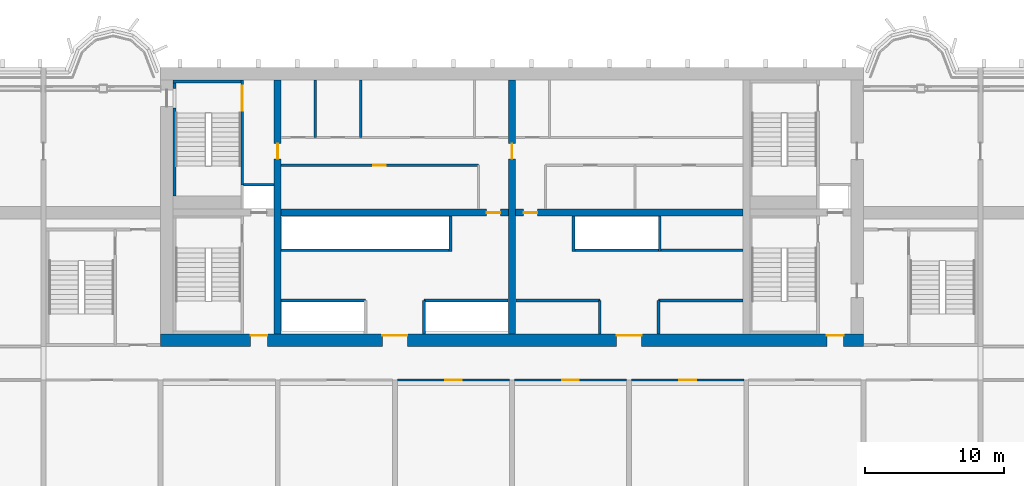
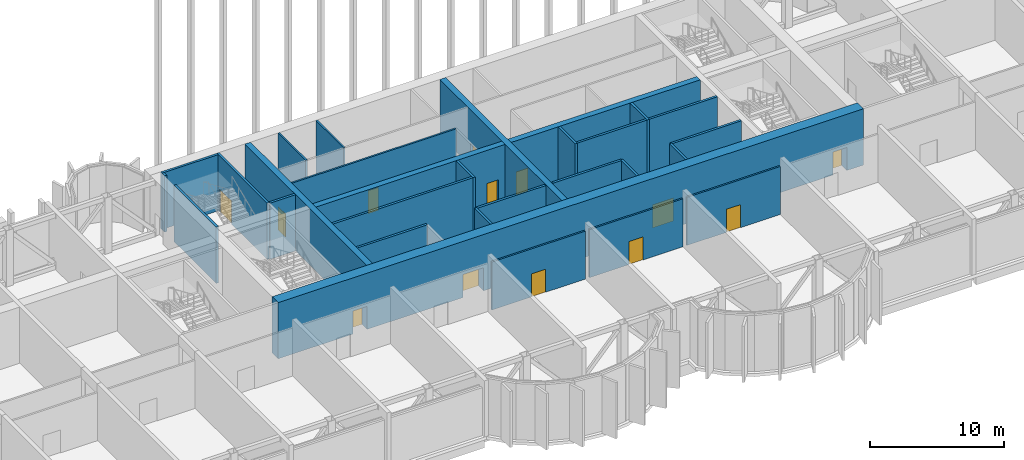
# One storey, part 6 of 17: 28 walls, 13 doors, 13 openings.
"""IFC4 building model written with IfcOpenShell, lengths in metres."""

import ifcopenshell
import ifcopenshell.guid

model = None  # the IFC model being written
_history = None  # IfcOwnerHistory: only IFC2X3 demands one
_inside = {}  # id of a spatial element -> (the spatial element, [elements in it])
_under = {}  # id of a project, library or spatial element -> (it, [spatial elements below it])
_declared = {}  # id of a project -> (the project, [libraries it declares])
_typed = {}  # id of a type object -> (the type object, [elements of that type])
_made_of = {}  # id of a material, layer set ... -> (it, [elements and type objects made of it])


def new_model(schema):
    """Start an empty IFC model of exactly this schema.

    Asked for "IFC4X3", IfcOpenShell would pick the latest addendum, in which some entities
    have other attributes; the version numbers below select the first issue.
    IFC2X3 requires an IfcOwnerHistory on every rooted entity: one is made here for all.
    """
    global model, _history
    if schema == "IFC4X3":
        model = ifcopenshell.file(schema_version=(4, 3, 0, 0))
    else:
        model = ifcopenshell.file(schema=schema)
    _inside.clear()
    _under.clear()
    _declared.clear()
    _typed.clear()
    _made_of.clear()
    _history = None
    if model.schema == "IFC2X3":
        org = make("IfcOrganization", Name="unknown")
        user = make(
            "IfcPersonAndOrganization",
            ThePerson=make("IfcPerson", FamilyName="unknown"),
            TheOrganization=org,
        )
        app = make(
            "IfcApplication",
            ApplicationDeveloper=org,
            Version="unknown",
            ApplicationFullName="unknown",
            ApplicationIdentifier="unknown",
        )
        _history = make(
            "IfcOwnerHistory",
            OwningUser=user,
            OwningApplication=app,
            ChangeAction="ADDED",
            CreationDate=0,
        )
    return model


def make(cls, **values):
    """One entity of the class cls with the attributes given. An attribute that is None is left unset."""
    return model.create_entity(
        cls, **{name: value for name, value in values.items() if value is not None}
    )


def rooted(cls, **values):
    """An entity with a GlobalId (a new one), such as an element, a storey or a relation."""
    return make(cls, GlobalId=ifcopenshell.guid.new(), OwnerHistory=_history, **values)


def si_unit(unit_type, name, prefix=None):
    """IfcSIUnit, for example si_unit("LENGTHUNIT", "METRE", prefix="MILLI")."""
    return make("IfcSIUnit", UnitType=unit_type, Prefix=prefix, Name=name)


def assignment(units):
    """IfcUnitAssignment: the units of a project."""
    return None if units is None else make("IfcUnitAssignment", Units=units)


def point(xyz):
    """IfcCartesianPoint."""
    return None if xyz is None else make("IfcCartesianPoint", Coordinates=xyz)


def direction(xyz):
    """IfcDirection."""
    return None if xyz is None else make("IfcDirection", DirectionRatios=xyz)


def frame(location, z_axis=None, x_axis=None):
    """IfcAxis2Placement3D, a coordinate frame: its origin and axes. An axis left out is left unset."""
    return make(
        "IfcAxis2Placement3D",
        Location=point(location),
        Axis=direction(z_axis),
        RefDirection=direction(x_axis),
    )


def frame_2d(location, x_axis=None):
    """IfcAxis2Placement2D, a coordinate frame in the plane: its origin and x axis."""
    return make(
        "IfcAxis2Placement2D", Location=point(location), RefDirection=direction(x_axis)
    )


def origin():
    """The frame at (0, 0, 0) with its axes left unset."""
    return frame((0.0, 0.0, 0.0))


def place(relative_to, where):
    """IfcLocalPlacement: puts the frame where relative to a parent placement (None: the world)."""
    return make(
        "IfcLocalPlacement", PlacementRelTo=relative_to, RelativePlacement=where
    )


def context(
    kind, dimensions, precision=None, world=None, true_north=None, identifier=None
):
    """IfcGeometricRepresentationContext, for example the 3D "Model" context."""
    return make(
        "IfcGeometricRepresentationContext",
        ContextIdentifier=identifier,
        ContextType=kind,
        CoordinateSpaceDimension=dimensions,
        Precision=precision,
        WorldCoordinateSystem=world,
        TrueNorth=true_north,
    )


def subcontext(parent, identifier, kind, view, scale=None):
    """IfcGeometricRepresentationSubContext, for example "Body" below "Model"."""
    return make(
        "IfcGeometricRepresentationSubContext",
        ContextIdentifier=identifier,
        ContextType=kind,
        ParentContext=parent,
        TargetScale=scale,
        TargetView=view,
    )


def project(units=None, contexts=None):
    """IfcProject with its units and contexts."""
    return rooted(
        "IfcProject",
        Name="project",
        RepresentationContexts=contexts,
        UnitsInContext=assignment(units),
    )


def spatial(cls, under=None, at=None, **own):
    """A site, building, storey or space (cls), placed at a placement, below another one or the project."""
    s = rooted(cls, ObjectPlacement=at, **own)
    if under is not None:
        _under.setdefault(under.id(), (under, []))[1].append(s)
    return s


def profile(cls, at=None, kind="AREA", **sizes):
    """A parametric profile (cls). Its sizes go by their IFC names, for example OverallWidth=200.0."""
    return make(cls, ProfileType=kind, Position=at, **sizes)


def rectangle(**sizes):
    """IfcRectangleProfileDef."""
    return profile("IfcRectangleProfileDef", **sizes)


def extrude(swept, where, along, depth):
    """IfcExtrudedAreaSolid: the profile swept, set in the frame where, extruded along a direction by depth."""
    return make(
        "IfcExtrudedAreaSolid",
        SweptArea=swept,
        Position=where,
        ExtrudedDirection=direction(along),
        Depth=depth,
    )


def shape(context_of_items, identifier, shape_type, items):
    """IfcShapeRepresentation: the items that make up one representation, for example the "Body"."""
    return make(
        "IfcShapeRepresentation",
        ContextOfItems=context_of_items,
        RepresentationIdentifier=identifier,
        RepresentationType=shape_type,
        Items=items,
    )


def source(mapping_origin, context_of_items, identifier, shape_type, items):
    """IfcRepresentationMap: a shape defined once, which mapped items show again and again."""
    return make(
        "IfcRepresentationMap",
        MappingOrigin=mapping_origin,
        MappedRepresentation=shape(context_of_items, identifier, shape_type, items),
    )


def transform(
    local_origin,
    x_axis=None,
    y_axis=None,
    z_axis=None,
    scale=None,
    scale2=None,
    scale3=None,
    uniform=True,
):
    """IfcCartesianTransformationOperator3D, or its non-uniform kind. x_axis, y_axis, z_axis: its Axis1, 2, 3."""
    if uniform:
        return make(
            "IfcCartesianTransformationOperator3D",
            Axis1=direction(x_axis),
            Axis2=direction(y_axis),
            LocalOrigin=point(local_origin),
            Scale=scale,
            Axis3=direction(z_axis),
        )
    return make(
        "IfcCartesianTransformationOperator3DnonUniform",
        Axis1=direction(x_axis),
        Axis2=direction(y_axis),
        LocalOrigin=point(local_origin),
        Scale=scale,
        Axis3=direction(z_axis),
        Scale2=scale2,
        Scale3=scale3,
    )


def mapped(mapping_source, mapping_target):
    """IfcMappedItem: shows the shape of a source again, moved by a transform."""
    return make(
        "IfcMappedItem", MappingSource=mapping_source, MappingTarget=mapping_target
    )


def material(Name=None, Category=None):
    """IfcMaterial."""
    return make("IfcMaterial", Name=Name, Category=Category)


def layer(
    of_material, thickness, ventilated=None, Name=None, Category=None, Priority=None
):
    """IfcMaterialLayer: one layer of a wall or slab, of a material (None: an air gap)."""
    return make(
        "IfcMaterialLayer",
        Material=of_material,
        LayerThickness=thickness,
        IsVentilated=ventilated,
        Name=Name,
        Category=Category,
        Priority=Priority,
    )


def layer_set(layers, Name=None):
    """IfcMaterialLayerSet."""
    return make("IfcMaterialLayerSet", MaterialLayers=layers, LayerSetName=Name)


def made_of(thing, what):
    """Note that an element or type object is made of a material, layer set ...; save() writes the relation."""
    if what is not None:
        _made_of.setdefault(what.id(), (what, []))[1].append(thing)
    return thing


def type_object(cls, material=None, **own):
    """A type object (cls), such as IfcWallType, which elements share."""
    return made_of(rooted(cls, **own), material)


def element(
    cls,
    number,
    at=None,
    inside=None,
    cuts=None,
    type_object=None,
    material=None,
    context=None,
    identifier="Body",
    shape_type=None,
    held_by="IfcProductDefinitionShape",
    body=None,
    shapes=None,
    **own,
):
    """One element of the class cls, such as IfcWall. Its Tag is "e" and its number.

    at: its placement. inside: the storey or other place that contains it. cuts: it is an
    opening in that element (IfcRelVoidsElement). A single representation is given by context,
    identifier, shape_type and body (its items); several are given by shapes. held_by: the class
    of the entity that holds the representations. save() writes the other relations.
    """
    e = rooted(cls, Tag="e%d" % number, ObjectPlacement=at, **own)
    if body is not None:
        shapes = [shape(context, identifier, shape_type, body)]
    if shapes is not None:
        e.Representation = make(held_by, Representations=shapes)
    if inside is not None:
        _inside.setdefault(inside.id(), (inside, []))[1].append(e)
    if cuts is not None:
        rooted(
            "IfcRelVoidsElement", RelatingBuildingElement=cuts, RelatedOpeningElement=e
        )
    if type_object is not None:
        _typed.setdefault(type_object.id(), (type_object, []))[1].append(e)
    return made_of(e, material)


def fill(opening, filler):
    """IfcRelFillsElement: the door or window that sits in an opening."""
    return rooted(
        "IfcRelFillsElement",
        RelatingOpeningElement=opening,
        RelatedBuildingElement=filler,
    )


def aggregate(whole, parts):
    """IfcRelAggregates: a whole, such as a stair, and the parts it consists of."""
    return rooted("IfcRelAggregates", RelatingObject=whole, RelatedObjects=parts)


def save(model, path):
    """Write the relations noted so far, then the file.

    IfcRelAggregates (storeys below a building ...), IfcRelContainedInSpatialStructure (elements
    in a storey), IfcRelDefinesByType, IfcRelAssociatesMaterial and IfcRelDeclares: one each for
    every whole, place, type object, material and project.
    """
    for whole, parts in _under.values():
        aggregate(whole, parts)
    for where, things in _inside.values():
        rooted(
            "IfcRelContainedInSpatialStructure",
            RelatedElements=things,
            RelatingStructure=where,
        )
    for kind, things in _typed.values():
        rooted("IfcRelDefinesByType", RelatedObjects=things, RelatingType=kind)
    for what, things in _made_of.values():
        rooted("IfcRelAssociatesMaterial", RelatedObjects=things, RelatingMaterial=what)
    for by, libraries in _declared.values():
        rooted("IfcRelDeclares", RelatingContext=by, RelatedDefinitions=libraries)
    model.write(path)


model = new_model("IFC4")

# Units and contexts
model_context = context("Model", 3, precision=1e-05, world=origin(), true_north=direction((0.0, 1.0)))
body_context = subcontext(model_context, "Body", "Model", "MODEL_VIEW")
ifc_project = project(units=[si_unit("LENGTHUNIT", "METRE"), si_unit("AREAUNIT", "SQUARE_METRE"), si_unit("VOLUMEUNIT", "CUBIC_METRE"), si_unit("PLANEANGLEUNIT", "RADIAN"), si_unit("MASSUNIT", "GRAM", prefix="KILO")], contexts=[model_context])

# Site, building, storey
site_placement = place(None, origin())
site = spatial("IfcSite", under=ifc_project, at=site_placement, CompositionType="ELEMENT")
building_placement = place(site_placement, origin())
building = spatial("IfcBuilding", under=site, at=building_placement, Name="Vanashikhar Sky Hotel", CompositionType="ELEMENT")
storey_placement = place(building_placement, frame((0.0, 0.0, 140.800048828125)))
storey = spatial("IfcBuildingStorey", under=building, at=storey_placement, Name="L34", CompositionType="ELEMENT", Elevation=140.800048828125)

# Wall, openings, doors
ifc_material_1 = material(Name="Concrete M70", Category="concrete")
ifc_layer_1 = layer(ifc_material_1, 0.89990234375)
ifc_layer_set_1 = layer_set([ifc_layer_1], Name="RC core shell wall 900 Concrete M70")
wall_type_1 = type_object("IfcWallType", Name="RC core shell wall 900 Concrete M70", PredefinedType="SHEAR", material=ifc_layer_set_1)
shared_shape_1 = source(origin(), body_context, "Body", "SweptSolid", [
    extrude(rectangle(XDim=50.400146484375, YDim=0.89990234375, at=frame_2d((25.2001953125, 0.0))), origin(), (0.0, 0.0, 1.0), 5.119873046875),
])
wall_1_placement = place(storey_placement, frame((25.199951171875, 22.449951171875, 0.0), z_axis=(0.0, 0.0, 1.0), x_axis=(1.0, 0.0, 0.0)))
wall_1 = element("IfcWall", 1, at=wall_1_placement, inside=storey, type_object=wall_type_1, Name="KW-L34-KS", PredefinedType="SHEAR", context=body_context, shape_type="MappedRepresentation", body=[
    mapped(shared_shape_1, transform((0.0, 0.0, 0.0), scale=1.0)),
])
shared_shape_2 = source(origin(), body_context, "Body", "SweptSolid", [
    extrude(rectangle(XDim=1.800048828125, YDim=2.10009765625, at=frame_2d((0.89990234375, 1.050048828125))), frame((0.0, 0.4599609375, 0.0), z_axis=(0.0, -1.0, 0.0), x_axis=(1.0, 0.0, 0.0)), (0.0, 0.0, 1.0), 0.919921875),
])
opening_1_placement = place(wall_1_placement, frame((15.89990234375, 0.0, 0.0)))
opening_1 = element("IfcOpeningElement", 2, at=opening_1_placement, cuts=wall_1, Name="Opening DC-3", PredefinedType="OPENING", context=body_context, shape_type="MappedRepresentation", body=[
    mapped(shared_shape_2, transform((0.0, 0.0, 0.0), scale=1.0)),
])
opening_2_placement = place(wall_1_placement, frame((32.699951171875, 0.0, 0.0)))
opening_2 = element("IfcOpeningElement", 3, at=opening_2_placement, cuts=wall_1, Name="Opening DC-3", PredefinedType="OPENING", context=body_context, shape_type="MappedRepresentation", body=[
    mapped(shared_shape_2, transform((0.0, 0.0, 0.0), scale=1.0)),
])
shared_shape_3 = source(origin(), body_context, "Body", "SweptSolid", [
    extrude(rectangle(XDim=1.199951171875, YDim=2.10009765625, at=frame_2d((0.60009765625, 1.050048828125))), frame((0.0, 0.4599609375, 0.0), z_axis=(0.0, -1.0, 0.0), x_axis=(1.0, 0.0, 0.0)), (0.0, 0.0, 1.0), 0.919921875),
])
opening_3_placement = place(wall_1_placement, frame((6.449951171875, 0.0, 0.0)))
opening_3 = element("IfcOpeningElement", 4, at=opening_3_placement, cuts=wall_1, Name="Opening DC-2", PredefinedType="OPENING", context=body_context, shape_type="MappedRepresentation", body=[
    mapped(shared_shape_3, transform((0.0, 0.0, 0.0), scale=1.0)),
])
opening_4_placement = place(wall_1_placement, frame((47.77490234375, 0.0, 0.0)))
opening_4 = element("IfcOpeningElement", 5, at=opening_4_placement, cuts=wall_1, Name="Opening DC-2", PredefinedType="OPENING", context=body_context, shape_type="MappedRepresentation", body=[
    mapped(shared_shape_3, transform((0.0, 0.0, 0.0), scale=1.0)),
])
ifc_material_2 = material(Name="Glass", Category="glass")
door_type_1 = type_object("IfcDoorType", Name="Lift lobby entrance door 1800 FD60", OperationType="NOTDEFINED", PredefinedType="DOOR", material=ifc_material_2)
shared_shape_4 = source(origin(), body_context, "Body", "SweptSolid", [
    extrude(rectangle(XDim=1.800048828125, YDim=2.10009765625, at=frame_2d((0.89990234375, 1.050048828125))), frame((0.0, 0.375, 0.0), z_axis=(0.0, -1.0, 0.0), x_axis=(1.0, 0.0, 0.0)), (0.0, 0.0, 1.0), 0.050048828125),
])
door_1_placement = place(opening_1_placement, origin())
door_1 = element("IfcDoor", 6, at=door_1_placement, inside=storey, type_object=door_type_1, Name="Lift lobby entrance door 1800 FD60", OperationType="DOUBLE_DOOR_SINGLE_SWING", OverallHeight=2.10009765625, OverallWidth=1.800048828125, PredefinedType="DOOR", context=body_context, shape_type="MappedRepresentation", body=[
    mapped(shared_shape_4, transform((0.0, 0.0, 0.0), scale=1.0)),
])
fill(opening_1, door_1)
door_2_placement = place(opening_2_placement, origin())
door_2 = element("IfcDoor", 7, at=door_2_placement, inside=storey, type_object=door_type_1, Name="Lift lobby entrance door 1800 FD60", OperationType="DOUBLE_DOOR_SINGLE_SWING", OverallHeight=2.10009765625, OverallWidth=1.800048828125, PredefinedType="DOOR", context=body_context, shape_type="MappedRepresentation", body=[
    mapped(shared_shape_4, transform((0.0, 0.0, 0.0), scale=1.0)),
])
fill(opening_2, door_2)
ifc_material_3 = material(Name="Steel", Category="steel")
door_type_2 = type_object("IfcDoorType", Name="Firefighting lobby door 1200 FD120", OperationType="NOTDEFINED", PredefinedType="DOOR", material=ifc_material_3)
shared_shape_5 = source(origin(), body_context, "Body", "SweptSolid", [
    extrude(rectangle(XDim=1.199951171875, YDim=2.10009765625, at=frame_2d((0.60009765625, 1.050048828125))), frame((0.0, 0.375, 0.0), z_axis=(0.0, -1.0, 0.0), x_axis=(1.0, 0.0, 0.0)), (0.0, 0.0, 1.0), 0.050048828125),
])
door_3_placement = place(opening_3_placement, origin())
door_3 = element("IfcDoor", 8, at=door_3_placement, inside=storey, type_object=door_type_2, Name="Firefighting lobby door 1200 FD120", OperationType="SINGLE_SWING_LEFT", OverallHeight=2.10009765625, OverallWidth=1.199951171875, PredefinedType="DOOR", context=body_context, shape_type="MappedRepresentation", body=[
    mapped(shared_shape_5, transform((0.0, 0.0, 0.0), scale=1.0)),
])
fill(opening_3, door_3)
door_4_placement = place(opening_4_placement, origin())
door_4 = element("IfcDoor", 9, at=door_4_placement, inside=storey, type_object=door_type_2, Name="Firefighting lobby door 1200 FD120", OperationType="SINGLE_SWING_LEFT", OverallHeight=2.10009765625, OverallWidth=1.199951171875, PredefinedType="DOOR", context=body_context, shape_type="MappedRepresentation", body=[
    mapped(shared_shape_5, transform((0.0, 0.0, 0.0), scale=1.0)),
])
fill(opening_4, door_4)

# Wall, opening, door
ifc_layer_2 = layer(ifc_material_1, 0.5)
ifc_layer_set_2 = layer_set([ifc_layer_2], Name="RC core inner wall 500 Concrete M70")
wall_type_2 = type_object("IfcWallType", Name="RC core inner wall 500 Concrete M70", PredefinedType="SHEAR", material=ifc_layer_set_2)
shared_shape_6 = source(origin(), body_context, "Body", "SweptSolid", [
    extrude(rectangle(XDim=18.2001953125, YDim=0.5, at=frame_2d((9.10009765625, 0.0))), origin(), (0.0, 0.0, 1.0), 5.119873046875),
])
wall_2_placement = place(storey_placement, frame((33.60009765625, 22.89990234375, 0.0), z_axis=(0.0, 0.0, 1.0), x_axis=(0.0, 1.0, 0.0)))
wall_2 = element("IfcWall", 10, at=wall_2_placement, inside=storey, type_object=wall_type_2, Name="KW-L34-KX1", PredefinedType="SHEAR", context=body_context, shape_type="MappedRepresentation", body=[
    mapped(shared_shape_6, transform((0.0, 0.0, 0.0), scale=1.0)),
])
shared_shape_7 = source(origin(), body_context, "Body", "SweptSolid", [
    extrude(rectangle(XDim=1.10009765625, YDim=2.10009765625, at=frame_2d((0.550048828125, 1.050048828125))), frame((0.0, 0.260009765625, 0.0), z_axis=(0.0, -1.0, 0.0), x_axis=(1.0, 0.0, 0.0)), (0.0, 0.0, 1.0), 0.52001953125),
])
opening_5_placement = place(wall_2_placement, frame((12.550048828125, 0.0, 0.0)))
opening_5 = element("IfcOpeningElement", 11, at=opening_5_placement, cuts=wall_2, Name="Opening DC-4-C", PredefinedType="OPENING", context=body_context, shape_type="MappedRepresentation", body=[
    mapped(shared_shape_7, transform((0.0, 0.0, 0.0), scale=1.0)),
])
door_type_3 = type_object("IfcDoorType", Name="Service door 1100 FD60", OperationType="NOTDEFINED", PredefinedType="DOOR", material=ifc_material_3)
shared_shape_8 = source(origin(), body_context, "Body", "SweptSolid", [
    extrude(rectangle(XDim=1.10009765625, YDim=2.10009765625, at=frame_2d((0.550048828125, 1.050048828125))), frame((0.0, 0.02490234375, 0.0), z_axis=(0.0, -1.0, 0.0), x_axis=(1.0, 0.0, 0.0)), (0.0, 0.0, 1.0), 0.050048828125),
])
door_5_placement = place(opening_5_placement, origin())
door_5 = element("IfcDoor", 12, at=door_5_placement, inside=storey, type_object=door_type_3, Name="Service door 1100 FD60", OperationType="SINGLE_SWING_LEFT", OverallHeight=2.10009765625, OverallWidth=1.10009765625, PredefinedType="DOOR", context=body_context, shape_type="MappedRepresentation", body=[
    mapped(shared_shape_8, transform((0.0, 0.0, 0.0), scale=1.0)),
])
fill(opening_5, door_5)

wall_3_placement = place(storey_placement, frame((50.39990234375, 22.89990234375, 0.0), z_axis=(0.0, 0.0, 1.0), x_axis=(0.0, 1.0, 0.0)))
wall_3 = element("IfcWall", 13, at=wall_3_placement, inside=storey, type_object=wall_type_2, Name="KW-L34-KX2", PredefinedType="SHEAR", context=body_context, shape_type="MappedRepresentation", body=[
    mapped(shared_shape_6, transform((0.0, 0.0, 0.0), scale=1.0)),
])
opening_6_placement = place(wall_3_placement, frame((12.550048828125, 0.0, 0.0)))
opening_6 = element("IfcOpeningElement", 14, at=opening_6_placement, cuts=wall_3, Name="Opening DC-4-C", PredefinedType="OPENING", context=body_context, shape_type="MappedRepresentation", body=[
    mapped(shared_shape_7, transform((0.0, 0.0, 0.0), scale=1.0)),
])
door_6_placement = place(opening_6_placement, origin())
door_6 = element("IfcDoor", 15, at=door_6_placement, inside=storey, type_object=door_type_3, Name="Service door 1100 FD60", OperationType="SINGLE_SWING_RIGHT", OverallHeight=2.10009765625, OverallWidth=1.10009765625, PredefinedType="DOOR", context=body_context, shape_type="MappedRepresentation", body=[
    mapped(shared_shape_8, transform((0.0, 0.0, 0.0), scale=1.0)),
])
fill(opening_6, door_6)

shared_shape_9 = source(origin(), body_context, "Body", "SweptSolid", [
    extrude(rectangle(XDim=16.2998046875, YDim=0.5, at=frame_2d((8.14990234375, 0.0))), origin(), (0.0, 0.0, 1.0), 5.119873046875),
])
wall_4_placement = place(storey_placement, frame((33.85009765625, 31.60009765625, 0.0), z_axis=(0.0, 0.0, 1.0), x_axis=(1.0, 0.0, 0.0)))
wall_4 = element("IfcWall", 16, at=wall_4_placement, inside=storey, type_object=wall_type_2, Name="KW-L34-KY2", PredefinedType="SHEAR", context=body_context, shape_type="MappedRepresentation", body=[
    mapped(shared_shape_9, transform((0.0, 0.0, 0.0), scale=1.0)),
])
shared_shape_10 = source(origin(), body_context, "Body", "SweptSolid", [
    extrude(rectangle(XDim=1.0, YDim=2.10009765625, at=frame_2d((0.5, 1.050048828125))), frame((0.0, 0.260009765625, 0.0), z_axis=(0.0, -1.0, 0.0), x_axis=(1.0, 0.0, 0.0)), (0.0, 0.0, 1.0), 0.52001953125),
])
opening_7_placement = place(wall_4_placement, frame((14.72509765625, 0.0, 0.0)))
opening_7 = element("IfcOpeningElement", 17, at=opening_7_placement, cuts=wall_4, Name="Opening DC-4", PredefinedType="OPENING", context=body_context, shape_type="MappedRepresentation", body=[
    mapped(shared_shape_10, transform((0.0, 0.0, 0.0), scale=1.0)),
])
door_type_4 = type_object("IfcDoorType", Name="Service door 1000 FD60", OperationType="NOTDEFINED", PredefinedType="DOOR", material=ifc_material_3)
shared_shape_11 = source(origin(), body_context, "Body", "SweptSolid", [
    extrude(rectangle(XDim=1.0, YDim=2.10009765625, at=frame_2d((0.5, 1.050048828125))), frame((0.0, 0.02490234375, 0.0), z_axis=(0.0, -1.0, 0.0), x_axis=(1.0, 0.0, 0.0)), (0.0, 0.0, 1.0), 0.050048828125),
])
door_7_placement = place(opening_7_placement, origin())
door_7 = element("IfcDoor", 18, at=door_7_placement, inside=storey, type_object=door_type_4, Name="Service door 1000 FD60", OperationType="SINGLE_SWING_LEFT", OverallHeight=2.10009765625, OverallWidth=1.0, PredefinedType="DOOR", context=body_context, shape_type="MappedRepresentation", body=[
    mapped(shared_shape_11, transform((0.0, 0.0, 0.0), scale=1.0)),
])
fill(opening_7, door_7)

shared_shape_12 = source(origin(), body_context, "Body", "SweptSolid", [
    extrude(rectangle(XDim=16.300048828125, YDim=0.5, at=frame_2d((8.14990234375, 0.0))), origin(), (0.0, 0.0, 1.0), 5.119873046875),
])
wall_5_placement = place(storey_placement, frame((50.64990234375, 31.60009765625, 0.0), z_axis=(0.0, 0.0, 1.0), x_axis=(1.0, 0.0, 0.0)))
wall_5 = element("IfcWall", 19, at=wall_5_placement, inside=storey, type_object=wall_type_2, Name="KW-L34-KY3", PredefinedType="SHEAR", context=body_context, shape_type="MappedRepresentation", body=[
    mapped(shared_shape_12, transform((0.0, 0.0, 0.0), scale=1.0)),
])
opening_8_placement = place(wall_5_placement, frame((0.574951171875, 0.0, 0.0)))
opening_8 = element("IfcOpeningElement", 20, at=opening_8_placement, cuts=wall_5, Name="Opening DC-4", PredefinedType="OPENING", context=body_context, shape_type="MappedRepresentation", body=[
    mapped(shared_shape_10, transform((0.0, 0.0, 0.0), scale=1.0)),
])
door_8_placement = place(opening_8_placement, origin())
door_8 = element("IfcDoor", 21, at=door_8_placement, inside=storey, type_object=door_type_4, Name="Service door 1000 FD60", OperationType="SINGLE_SWING_RIGHT", OverallHeight=2.10009765625, OverallWidth=1.0, PredefinedType="DOOR", context=body_context, shape_type="MappedRepresentation", body=[
    mapped(shared_shape_11, transform((0.0, 0.0, 0.0), scale=1.0)),
])
fill(opening_8, door_8)

# Walls
ifc_material_4 = material(Name="Concrete M40", Category="concrete")
ifc_layer_3 = layer(ifc_material_4, 0.199951171875)
ifc_layer_set_3 = layer_set([ifc_layer_3], Name="Shaft wall 200")
wall_type_3 = type_object("IfcWallType", Name="Shaft wall 200", PredefinedType="SOLIDWALL", material=ifc_layer_set_3)
shared_shape_13 = source(origin(), body_context, "Body", "SweptSolid", [
    extrude(rectangle(XDim=6.0498046875, YDim=0.199951171875, at=frame_2d((3.02490234375, 0.0))), origin(), (0.0, 0.0, 1.0), 5.119873046875),
])
wall_6_placement = place(storey_placement, frame((33.85009765625, 25.300048828125, 0.0), z_axis=(0.0, 0.0, 1.0), x_axis=(1.0, 0.0, 0.0)))
element("IfcWall", 22, at=wall_6_placement, inside=storey, type_object=wall_type_3, Name="Shaft wall 200", PredefinedType="SOLIDWALL", context=body_context, shape_type="MappedRepresentation", body=[
    mapped(shared_shape_13, transform((0.0, 0.0, 0.0), scale=1.0)),
])
shared_shape_14 = source(origin(), body_context, "Body", "SweptSolid", [
    extrude(rectangle(XDim=6.0, YDim=0.199951171875, at=frame_2d((3.0, 0.0))), origin(), (0.0, 0.0, 1.0), 5.119873046875),
])
for number, where, z_axis, x_axis, name in (
    (23, (44.10009765625, 25.300048828125, 0.0), (0.0, 0.0, 1.0), (1.0, 0.0, 0.0), "Shaft wall 200"),
    (24, (56.699951171875, 25.300048828125, 0.0), (0.0, 0.0, 1.0), (-1.0, 0.0, 0.0), "Shaft wall 200"),
):
    element("IfcWall", number, at=place(storey_placement, frame(where, z_axis=z_axis, x_axis=x_axis)), inside=storey, type_object=wall_type_3, Name=name, PredefinedType="SOLIDWALL", context=body_context, shape_type="MappedRepresentation", body=[
        mapped(shared_shape_14, transform((0.0, 0.0, 0.0), scale=1.0)),
    ])
shared_shape_15 = source(origin(), body_context, "Body", "SweptSolid", [
    extrude(rectangle(XDim=12.0498046875, YDim=0.199951171875, at=frame_2d((6.02490234375, 0.0))), origin(), (0.0, 0.0, 1.0), 5.119873046875),
])
wall_7_placement = place(storey_placement, frame((33.85009765625, 28.89990234375, 0.0), z_axis=(0.0, 0.0, 1.0), x_axis=(1.0, 0.0, 0.0)))
element("IfcWall", 25, at=wall_7_placement, inside=storey, type_object=wall_type_3, Name="Shaft wall 200", PredefinedType="SOLIDWALL", context=body_context, shape_type="MappedRepresentation", body=[
    mapped(shared_shape_15, transform((0.0, 0.0, 0.0), scale=1.0)),
])
shared_shape_16 = source(origin(), body_context, "Body", "SweptSolid", [
    extrude(rectangle(XDim=2.400146484375, YDim=0.199951171875, at=frame_2d((1.2001953125, 0.0))), origin(), (0.0, 0.0, 1.0), 5.119873046875),
])
for number, where, z_axis, x_axis, name in (
    (26, (44.10009765625, 22.89990234375, 0.0), (0.0, 0.0, 1.0), (0.0, 1.0, 0.0), "Shaft wall 200"),
    (27, (60.89990234375, 22.89990234375, 0.0), (0.0, 0.0, 1.0), (0.0, 1.0, 0.0), "Shaft wall 200"),
    (28, (56.699951171875, 22.89990234375, 0.0), (0.0, 0.0, 1.0), (0.0, 1.0, 0.0), "Shaft wall 200"),
):
    element("IfcWall", number, at=place(storey_placement, frame(where, z_axis=z_axis, x_axis=x_axis)), inside=storey, type_object=wall_type_3, Name=name, PredefinedType="SOLIDWALL", context=body_context, shape_type="MappedRepresentation", body=[
        mapped(shared_shape_16, transform((0.0, 0.0, 0.0), scale=1.0)),
    ])
shared_shape_17 = source(origin(), body_context, "Body", "SweptSolid", [
    extrude(rectangle(XDim=2.550048828125, YDim=0.199951171875, at=frame_2d((1.27490234375, 0.0))), origin(), (0.0, 0.0, 1.0), 5.119873046875),
])
for number, where, z_axis, x_axis, name in (
    (29, (46.0, 28.800048828125, 0.0), (0.0, 0.0, 1.0), (0.0, 1.0, 0.0), "Shaft wall 200"),
    (30, (54.800048828125, 28.800048828125, 0.0), (0.0, 0.0, 1.0), (0.0, 1.0, 0.0), "Shaft wall 200"),
    (31, (61.0, 28.800048828125, 0.0), (0.0, 0.0, 1.0), (0.0, 1.0, 0.0), "Shaft wall 200"),
):
    element("IfcWall", number, at=place(storey_placement, frame(where, z_axis=z_axis, x_axis=x_axis)), inside=storey, type_object=wall_type_3, Name=name, PredefinedType="SOLIDWALL", context=body_context, shape_type="MappedRepresentation", body=[
        mapped(shared_shape_17, transform((0.0, 0.0, 0.0), scale=1.0)),
    ])

# Wall, opening, door
ifc_material_5 = material(Name="Gypsum board partition")
ifc_layer_4 = layer(ifc_material_5, 0.14990234375)
ifc_layer_set_4 = layer_set([ifc_layer_4], Name="Service partition 150")
wall_type_4 = type_object("IfcWallType", Name="Service partition 150", PredefinedType="PARTITIONING", material=ifc_layer_set_4)
shared_shape_18 = source(origin(), body_context, "Body", "SweptSolid", [
    extrude(rectangle(XDim=14.14990234375, YDim=0.14990234375, at=frame_2d((7.074951171875, 0.0))), origin(), (0.0, 0.0, 1.0), 5.119873046875),
])
wall_8_placement = place(storey_placement, frame((33.85009765625, 35.0, 0.0), z_axis=(0.0, 0.0, 1.0), x_axis=(1.0, 0.0, 0.0)))
wall_8 = element("IfcWall", 32, at=wall_8_placement, inside=storey, type_object=wall_type_4, Name="Service partition 150", PredefinedType="PARTITIONING", context=body_context, shape_type="MappedRepresentation", body=[
    mapped(shared_shape_18, transform((0.0, 0.0, 0.0), scale=1.0)),
])
shared_shape_19 = source(origin(), body_context, "Body", "SweptSolid", [
    extrude(rectangle(XDim=0.89990234375, YDim=2.10009765625, at=frame_2d((0.449951171875, 1.050048828125))), frame((0.0, 0.0849609375, 0.0), z_axis=(0.0, -1.0, 0.0), x_axis=(1.0, 0.0, 0.0)), (0.0, 0.0, 1.0), 0.169921875),
])
opening_9_placement = place(wall_8_placement, frame((6.587890625, 0.0, 0.0)))
opening_9 = element("IfcOpeningElement", 33, at=opening_9_placement, cuts=wall_8, Name="Opening DC-4-A", PredefinedType="OPENING", context=body_context, shape_type="MappedRepresentation", body=[
    mapped(shared_shape_19, transform((0.0, 0.0, 0.0), scale=1.0)),
])
door_type_5 = type_object("IfcDoorType", Name="Service door 900 FD60", OperationType="NOTDEFINED", PredefinedType="DOOR", material=ifc_material_3)
shared_shape_20 = source(origin(), body_context, "Body", "SweptSolid", [
    extrude(rectangle(XDim=0.89990234375, YDim=2.10009765625, at=frame_2d((0.449951171875, 1.050048828125))), frame((0.0, 0.02490234375, 0.0), z_axis=(0.0, -1.0, 0.0), x_axis=(1.0, 0.0, 0.0)), (0.0, 0.0, 1.0), 0.050048828125),
])
door_9_placement = place(opening_9_placement, origin())
door_9 = element("IfcDoor", 34, at=door_9_placement, inside=storey, type_object=door_type_5, Name="Service door 900 FD60", OperationType="SINGLE_SWING_RIGHT", OverallHeight=2.10009765625, OverallWidth=0.89990234375, PredefinedType="DOOR", context=body_context, shape_type="MappedRepresentation", body=[
    mapped(shared_shape_20, transform((0.0, 0.0, 0.0), scale=1.0)),
])
fill(opening_9, door_9)

# Walls
shared_shape_21 = source(origin(), body_context, "Body", "SweptSolid", [
    extrude(rectangle(XDim=4.10009765625, YDim=0.14990234375, at=frame_2d((2.050048828125, 0.0))), origin(), (0.0, 0.0, 1.0), 5.119873046875),
])
for number, where, z_axis, x_axis, name in (
    (35, (36.294921875, 37.0, 0.0), (0.0, 0.0, 1.0), (0.0, 1.0, 0.0), "Service partition 150"),
    (36, (39.554931640625, 37.0, 0.0), (0.0, 0.0, 1.0), (0.0, 1.0, 0.0), "Service partition 150"),
):
    element("IfcWall", number, at=place(storey_placement, frame(where, z_axis=z_axis, x_axis=x_axis)), inside=storey, type_object=wall_type_4, Name=name, PredefinedType="PARTITIONING", context=body_context, shape_type="MappedRepresentation", body=[
        mapped(shared_shape_21, transform((0.0, 0.0, 0.0), scale=1.0)),
    ])
shared_shape_22 = source(origin(), body_context, "Body", "SweptSolid", [
    extrude(rectangle(XDim=6.050048828125, YDim=0.199951171875, at=frame_2d((3.02490234375, 0.0))), origin(), (0.0, 0.0, 1.0), 5.119873046875),
])
wall_9_placement = place(storey_placement, frame((66.949951171875, 25.300048828125, 0.0), z_axis=(0.0, 0.0, 1.0), x_axis=(-1.0, 0.0, 0.0)))
element("IfcWall", 37, at=wall_9_placement, inside=storey, type_object=wall_type_3, Name="Shaft wall 200", PredefinedType="SOLIDWALL", context=body_context, shape_type="MappedRepresentation", body=[
    mapped(shared_shape_22, transform((0.0, 0.0, 0.0), scale=1.0)),
])
shared_shape_23 = source(origin(), body_context, "Body", "SweptSolid", [
    extrude(rectangle(XDim=12.050048828125, YDim=0.199951171875, at=frame_2d((6.02490234375, 0.0))), origin(), (0.0, 0.0, 1.0), 5.119873046875),
])
wall_10_placement = place(storey_placement, frame((66.949951171875, 28.89990234375, 0.0), z_axis=(0.0, 0.0, 1.0), x_axis=(-1.0, 0.0, 0.0)))
element("IfcWall", 38, at=wall_10_placement, inside=storey, type_object=wall_type_3, Name="Shaft wall 200", PredefinedType="SOLIDWALL", context=body_context, shape_type="MappedRepresentation", body=[
    mapped(shared_shape_23, transform((0.0, 0.0, 0.0), scale=1.0)),
])
shared_shape_24 = source(origin(), body_context, "Body", "SweptSolid", [
    extrude(rectangle(XDim=2.2001953125, YDim=0.199951171875, at=frame_2d((1.10009765625, 0.0))), origin(), (0.0, 0.0, 1.0), 5.119873046875),
])
wall_11_placement = place(storey_placement, frame((31.14990234375, 33.60009765625, 0.0), z_axis=(0.0, 0.0, 1.0), x_axis=(1.0, 0.0, 0.0)))
element("IfcWall", 39, at=wall_11_placement, inside=storey, type_object=wall_type_3, Name="Shaft wall 200", PredefinedType="SOLIDWALL", context=body_context, shape_type="MappedRepresentation", body=[
    mapped(shared_shape_24, transform((0.0, 0.0, 0.0), scale=1.0)),
])

# Wall, opening, door
ifc_material_6 = material(Name="Concrete M50", Category="concrete")
ifc_layer_5 = layer(ifc_material_6, 0.199951171875)
ifc_layer_set_5 = layer_set([ifc_layer_5], Name="Stair wall 200")
wall_type_5 = type_object("IfcWallType", Name="Stair wall 200", PredefinedType="SOLIDWALL", material=ifc_layer_set_5)
shared_shape_25 = source(origin(), body_context, "Body", "SweptSolid", [
    extrude(rectangle(XDim=7.5, YDim=0.199951171875, at=frame_2d((3.75, 0.0))), origin(), (0.0, 0.0, 1.0), 5.119873046875),
])
wall_12_placement = place(storey_placement, frame((31.050048828125, 33.60009765625, 0.0), z_axis=(0.0, 0.0, 1.0), x_axis=(0.0, 1.0, 0.0)))
wall_12 = element("IfcWall", 40, at=wall_12_placement, inside=storey, type_object=wall_type_5, Name="Stair wall 200", PredefinedType="SOLIDWALL", context=body_context, shape_type="MappedRepresentation", body=[
    mapped(shared_shape_25, transform((0.0, 0.0, 0.0), scale=1.0)),
])
shared_shape_26 = source(origin(), body_context, "Body", "SweptSolid", [
    extrude(rectangle(XDim=1.800048828125, YDim=2.10009765625, at=frame_2d((0.89990234375, 1.050048828125))), frame((0.0, 0.10986328125, 0.0), z_axis=(0.0, -1.0, 0.0), x_axis=(1.0, 0.0, 0.0)), (0.0, 0.0, 1.0), 0.219970703125),
])
opening_10_placement = place(wall_12_placement, frame((5.300048828125, 0.0, 0.0)))
opening_10 = element("IfcOpeningElement", 41, at=opening_10_placement, cuts=wall_12, Name="Opening DC-1-A", PredefinedType="OPENING", context=body_context, shape_type="MappedRepresentation", body=[
    mapped(shared_shape_26, transform((0.0, 0.0, 0.0), scale=1.0)),
])
door_type_6 = type_object("IfcDoorType", Name="Stair door 1800 FD120", OperationType="NOTDEFINED", PredefinedType="DOOR", material=ifc_material_3)
shared_shape_27 = source(origin(), body_context, "Body", "SweptSolid", [
    extrude(rectangle(XDim=1.800048828125, YDim=2.10009765625, at=frame_2d((0.89990234375, 1.050048828125))), frame((0.0, 0.02490234375, 0.0), z_axis=(0.0, -1.0, 0.0), x_axis=(1.0, 0.0, 0.0)), (0.0, 0.0, 1.0), 0.050048828125),
])
door_10_placement = place(opening_10_placement, origin())
door_10 = element("IfcDoor", 42, at=door_10_placement, inside=storey, type_object=door_type_6, Name="Stair door 1800 FD120", OperationType="SINGLE_SWING_LEFT", OverallHeight=2.10009765625, OverallWidth=1.800048828125, PredefinedType="DOOR", context=body_context, shape_type="MappedRepresentation", body=[
    mapped(shared_shape_27, transform((0.0, 0.0, 0.0), scale=1.0)),
])
fill(opening_10, door_10)

# Walls
ifc_layer_6 = layer(ifc_material_6, 0.199951171875)
ifc_layer_set_6 = layer_set([ifc_layer_6], Name="Stair infill wall 200")
wall_type_6 = type_object("IfcWallType", Name="Stair infill wall 200", PredefinedType="SOLIDWALL", material=ifc_layer_set_6)
shared_shape_28 = source(origin(), body_context, "Body", "SweptSolid", [
    extrude(rectangle(XDim=4.849853515625, YDim=0.199951171875, at=frame_2d((2.4248046875, 0.0))), origin(), (0.0, 0.0, 1.0), 5.119873046875),
])
wall_13_placement = place(storey_placement, frame((26.10009765625, 41.0, 0.0), z_axis=(0.0, 0.0, 1.0), x_axis=(1.0, 0.0, 0.0)))
element("IfcWall", 43, at=wall_13_placement, inside=storey, type_object=wall_type_6, Name="Stair infill wall 200", PredefinedType="SOLIDWALL", context=body_context, shape_type="MappedRepresentation", body=[
    mapped(shared_shape_28, transform((0.0, 0.0, 0.0), scale=1.0)),
])
shared_shape_29 = source(origin(), body_context, "Body", "SweptSolid", [
    extrude(rectangle(XDim=6.300048828125, YDim=0.199951171875, at=frame_2d((3.14990234375, 0.0))), origin(), (0.0, 0.0, 1.0), 5.119873046875),
])
wall_14_placement = place(storey_placement, frame((26.199951171875, 32.800048828125, 0.0), z_axis=(0.0, 0.0, 1.0), x_axis=(0.0, 1.0, 0.0)))
element("IfcWall", 44, at=wall_14_placement, inside=storey, type_object=wall_type_6, Name="Stair infill wall 200", PredefinedType="SOLIDWALL", context=body_context, shape_type="MappedRepresentation", body=[
    mapped(shared_shape_29, transform((0.0, 0.0, 0.0), scale=1.0)),
])
shared_shape_30 = source(origin(), body_context, "Body", "SweptSolid", [
    extrude(rectangle(XDim=0.39990234375, YDim=0.199951171875, at=frame_2d((0.199951171875, 0.0))), origin(), (0.0, 0.0, 1.0), 5.119873046875),
])
wall_15_placement = place(storey_placement, frame((26.199951171875, 40.5, 0.0), z_axis=(0.0, 0.0, 1.0), x_axis=(0.0, 1.0, 0.0)))
element("IfcWall", 45, at=wall_15_placement, inside=storey, type_object=wall_type_6, Name="Stair infill wall 200", PredefinedType="SOLIDWALL", context=body_context, shape_type="MappedRepresentation", body=[
    mapped(shared_shape_30, transform((0.0, 0.0, 0.0), scale=1.0)),
])

# Wall, opening, door
shared_shape_31 = source(origin(), body_context, "Body", "SweptSolid", [
    extrude(rectangle(XDim=8.050048828125, YDim=0.14990234375, at=frame_2d((4.02490234375, 0.0))), origin(), (0.0, 0.0, 1.0), 4.369873046875),
])
wall_16_placement = place(storey_placement, frame((42.175048828125, 19.60009765625, 0.0), z_axis=(0.0, 0.0, 1.0), x_axis=(1.0, 0.0, 0.0)))
wall_16 = element("IfcWall", 46, at=wall_16_placement, inside=storey, type_object=wall_type_4, Name="Service partition 150", PredefinedType="PARTITIONING", context=body_context, shape_type="MappedRepresentation", body=[
    mapped(shared_shape_31, transform((0.0, 0.0, 0.0), scale=1.0)),
])
shared_shape_32 = source(origin(), body_context, "Body", "SweptSolid", [
    extrude(rectangle(XDim=1.199951171875, YDim=2.10009765625, at=frame_2d((0.60009765625, 1.050048828125))), frame((0.0, 0.0849609375, 0.0), z_axis=(0.0, -1.0, 0.0), x_axis=(1.0, 0.0, 0.0)), (0.0, 0.0, 1.0), 0.169921875),
])
opening_11_placement = place(wall_16_placement, frame((3.425048828125, 0.0, 0.0)))
opening_11 = element("IfcOpeningElement", 47, at=opening_11_placement, cuts=wall_16, Name="Opening DC-4-D", PredefinedType="OPENING", context=body_context, shape_type="MappedRepresentation", body=[
    mapped(shared_shape_32, transform((0.0, 0.0, 0.0), scale=1.0)),
])
door_type_7 = type_object("IfcDoorType", Name="Service door 1200 FD120", OperationType="NOTDEFINED", PredefinedType="DOOR", material=ifc_material_3)
shared_shape_33 = source(origin(), body_context, "Body", "SweptSolid", [
    extrude(rectangle(XDim=1.199951171875, YDim=2.10009765625, at=frame_2d((0.60009765625, 1.050048828125))), frame((0.0, 0.02490234375, 0.0), z_axis=(0.0, -1.0, 0.0), x_axis=(1.0, 0.0, 0.0)), (0.0, 0.0, 1.0), 0.050048828125),
])
door_11_placement = place(opening_11_placement, origin())
door_11 = element("IfcDoor", 48, at=door_11_placement, inside=storey, type_object=door_type_7, Name="Service door 1200 FD120", OperationType="SINGLE_SWING_RIGHT", OverallHeight=2.10009765625, OverallWidth=1.199951171875, PredefinedType="DOOR", context=body_context, shape_type="MappedRepresentation", body=[
    mapped(shared_shape_33, transform((0.0, 0.0, 0.0), scale=1.0)),
])
fill(opening_11, door_11)

wall_17_placement = place(storey_placement, frame((50.574951171875, 19.60009765625, 0.0), z_axis=(0.0, 0.0, 1.0), x_axis=(1.0, 0.0, 0.0)))
wall_17 = element("IfcWall", 49, at=wall_17_placement, inside=storey, type_object=wall_type_4, Name="Service partition 150", PredefinedType="PARTITIONING", context=body_context, shape_type="MappedRepresentation", body=[
    mapped(shared_shape_31, transform((0.0, 0.0, 0.0), scale=1.0)),
])
opening_12_placement = place(wall_17_placement, frame((3.425048828125, 0.0, 0.0)))
opening_12 = element("IfcOpeningElement", 50, at=opening_12_placement, cuts=wall_17, Name="Opening DC-4-D", PredefinedType="OPENING", context=body_context, shape_type="MappedRepresentation", body=[
    mapped(shared_shape_32, transform((0.0, 0.0, 0.0), scale=1.0)),
])
door_12_placement = place(opening_12_placement, origin())
door_12 = element("IfcDoor", 51, at=door_12_placement, inside=storey, type_object=door_type_7, Name="Service door 1200 FD120", OperationType="SINGLE_SWING_LEFT", OverallHeight=2.10009765625, OverallWidth=1.199951171875, PredefinedType="DOOR", context=body_context, shape_type="MappedRepresentation", body=[
    mapped(shared_shape_33, transform((0.0, 0.0, 0.0), scale=1.0)),
])
fill(opening_12, door_12)

shared_shape_34 = source(origin(), body_context, "Body", "SweptSolid", [
    extrude(rectangle(XDim=8.0498046875, YDim=0.14990234375, at=frame_2d((4.02490234375, 0.0))), origin(), (0.0, 0.0, 1.0), 4.369873046875),
])
wall_18_placement = place(storey_placement, frame((58.97509765625, 19.60009765625, 0.0), z_axis=(0.0, 0.0, 1.0), x_axis=(1.0, 0.0, 0.0)))
wall_18 = element("IfcWall", 52, at=wall_18_placement, inside=storey, type_object=wall_type_4, Name="Service partition 150", PredefinedType="PARTITIONING", context=body_context, shape_type="MappedRepresentation", body=[
    mapped(shared_shape_34, transform((0.0, 0.0, 0.0), scale=1.0)),
])
opening_13_placement = place(wall_18_placement, frame((3.425048828125, 0.0, 0.0)))
opening_13 = element("IfcOpeningElement", 53, at=opening_13_placement, cuts=wall_18, Name="Opening DC-4-D", PredefinedType="OPENING", context=body_context, shape_type="MappedRepresentation", body=[
    mapped(shared_shape_32, transform((0.0, 0.0, 0.0), scale=1.0)),
])
door_13_placement = place(opening_13_placement, origin())
door_13 = element("IfcDoor", 54, at=door_13_placement, inside=storey, type_object=door_type_7, Name="Service door 1200 FD120", OperationType="SINGLE_SWING_RIGHT", OverallHeight=2.10009765625, OverallWidth=1.199951171875, PredefinedType="DOOR", context=body_context, shape_type="MappedRepresentation", body=[
    mapped(shared_shape_33, transform((0.0, 0.0, 0.0), scale=1.0)),
])
fill(opening_13, door_13)

save(model, "model.ifc")
